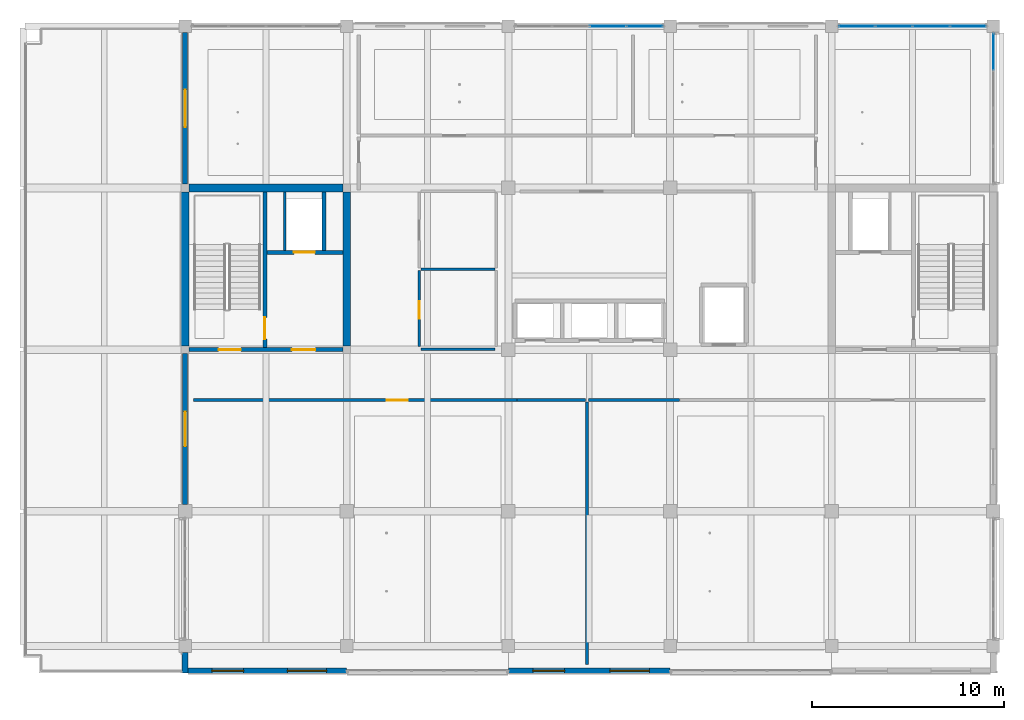
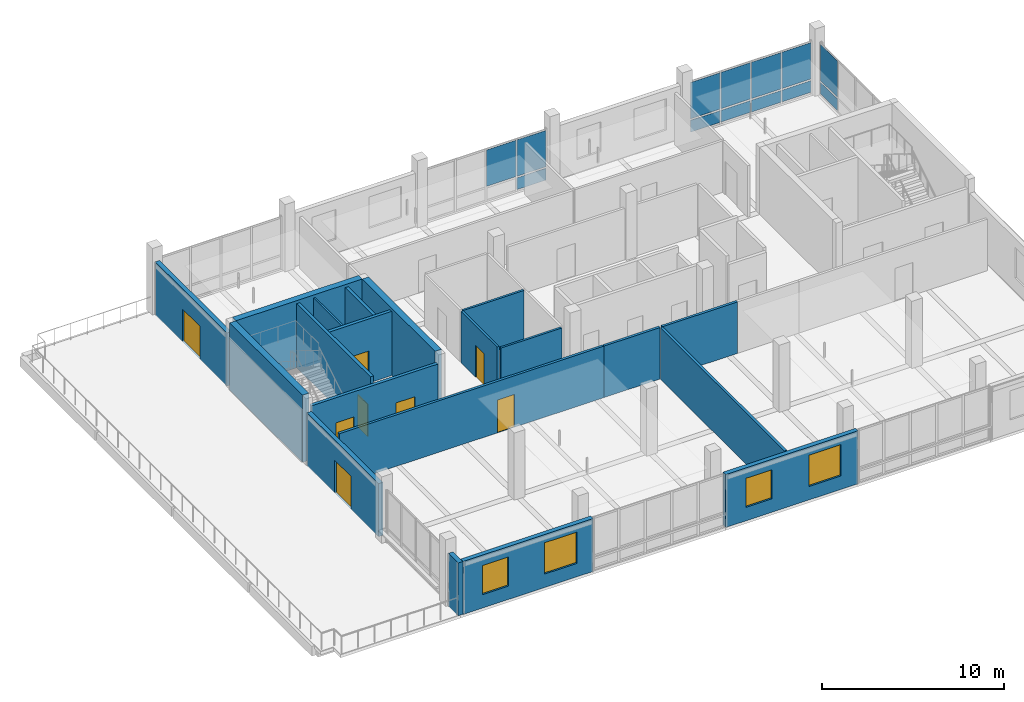
# One storey, part 9 of 28: 20 walls, 13 plates, 8 doors, 4 windows, 12 openings, 3 elements without a shape of their own.
"""IFC4 building model written with IfcOpenShell, lengths in metres."""

from ifc_helpers import new_model, si_unit, direction, frame, frame_2d, origin, origin_2d, place, context, subcontext, project, spatial, rectangle, extrude, material, layer, layer_set, type_object, element, fill, aggregate, save


model = new_model("IFC4")

# Units and contexts
model_context = context("Model", 3, precision=1e-05, world=origin(), true_north=direction((0.0, 1.0)))
body_context = subcontext(model_context, "Body", "Model", "MODEL_VIEW")
ifc_project = project(units=[si_unit("LENGTHUNIT", "METRE"), si_unit("AREAUNIT", "SQUARE_METRE"), si_unit("VOLUMEUNIT", "CUBIC_METRE"), si_unit("PLANEANGLEUNIT", "RADIAN"), si_unit("MASSUNIT", "GRAM", prefix="KILO")], contexts=[model_context])

# Site, building, storey
site_placement = place(None, origin())
site = spatial("IfcSite", under=ifc_project, at=site_placement, CompositionType="ELEMENT")
building_placement = place(site_placement, origin())
building = spatial("IfcBuilding", under=site, at=building_placement, Name="Telukmera Botanical Conservatory", CompositionType="ELEMENT")
storey_placement = place(building_placement, frame((0.0, 0.0, 51.0)))
storey = spatial("IfcBuildingStorey", under=building, at=storey_placement, Name="L11", CompositionType="ELEMENT", Elevation=51.0)

# Curtain wall, plates
ifc_material_1 = material(Name="Anodised aluminium 6063-T6", Category="aluminium")
ifc_layer_1 = layer(ifc_material_1, 0.179931640625)
ifc_layer_set_1 = layer_set([ifc_layer_1], Name="Anodised aluminium 6063-T6")
curtain_wall_type = type_object("IfcCurtainWallType", Name="Tower Research Laboratory Unitised Curtain Wall", PredefinedType="USERDEFINED", material=ifc_layer_set_1)
curtain_wall_1_placement = place(storey_placement, origin())
curtain_wall_1 = element("IfcCurtainWall", 1, at=curtain_wall_1_placement, inside=storey, type_object=curtain_wall_type, Name="Unitised Curtain Wall CW15 V4:L11:N3", ObjectType="UNITISED CURTAIN WALL", PredefinedType="USERDEFINED")
ifc_material_2 = material(Name="Spectrally selective low-E double glazing", Category="glass")
ifc_layer_2 = layer(ifc_material_2, 0.028076171875)
ifc_layer_set_2 = layer_set([ifc_layer_2], Name="Spectrally selective low-E double glazing")
plate_type = type_object("IfcPlateType", Name="Spectrally Selective Vision Double Glazing Panel 28", PredefinedType="CURTAIN_PANEL", material=ifc_layer_set_2)
plate_1_placement = place(storey_placement, frame((80.768310546875, 42.800048828125, 1.0048828125), z_axis=(0.0, 0.0, 1.0), x_axis=(1.0, 0.0, 0.0)))
plate_1 = element("IfcPlate", 2, at=plate_1_placement, type_object=plate_type, Name="CW15 panel 3.2", PredefinedType="CURTAIN_PANEL", context=body_context, shape_type="SweptSolid", body=[
    extrude(rectangle(XDim=1.87646484375, YDim=0.028076171875, at=origin_2d()), origin(), (0.0, 0.0, 1.0), 2.43505859375),
])
plate_2_placement = place(storey_placement, frame((82.689697265625, 42.800048828125, 0.10986328125), z_axis=(0.0, 0.0, 1.0), x_axis=(1.0, 0.0, 0.0)))
plate_2 = element("IfcPlate", 3, at=plate_2_placement, type_object=plate_type, Name="CW15 panel 4.1", PredefinedType="CURTAIN_PANEL", context=body_context, shape_type="SweptSolid", body=[
    extrude(rectangle(XDim=1.846435546875, YDim=0.028076171875, at=origin_2d()), origin(), (0.0, 0.0, 1.0), 0.784912109375),
])
plate_3_placement = place(storey_placement, frame((82.689697265625, 42.800048828125, 1.0048828125), z_axis=(0.0, 0.0, 1.0), x_axis=(1.0, 0.0, 0.0)))
plate_3 = element("IfcPlate", 4, at=plate_3_placement, type_object=plate_type, Name="CW15 panel 4.2", PredefinedType="CURTAIN_PANEL", context=body_context, shape_type="SweptSolid", body=[
    extrude(rectangle(XDim=1.846435546875, YDim=0.028076171875, at=origin_2d()), origin(), (0.0, 0.0, 1.0), 2.43505859375),
])
aggregate(curtain_wall_1, [plate_1, plate_2, plate_3])

curtain_wall_2_placement = place(storey_placement, origin())
curtain_wall_2 = element("IfcCurtainWall", 5, at=curtain_wall_2_placement, inside=storey, type_object=curtain_wall_type, Name="Unitised Curtain Wall CW15 V4:L11:N5", ObjectType="UNITISED CURTAIN WALL", PredefinedType="USERDEFINED")
plate_4_placement = place(storey_placement, frame((93.710205078125, 42.800048828125, 0.10986328125), z_axis=(0.0, 0.0, 1.0), x_axis=(1.0, 0.0, 0.0)))
plate_4 = element("IfcPlate", 6, at=plate_4_placement, type_object=plate_type, Name="CW15 panel 1.1", PredefinedType="CURTAIN_PANEL", context=body_context, shape_type="SweptSolid", body=[
    extrude(rectangle(XDim=1.846435546875, YDim=0.028076171875, at=origin_2d()), origin(), (0.0, 0.0, 1.0), 0.784912109375),
])
plate_5_placement = place(storey_placement, frame((93.710205078125, 42.800048828125, 1.0048828125), z_axis=(0.0, 0.0, 1.0), x_axis=(1.0, 0.0, 0.0)))
plate_5 = element("IfcPlate", 7, at=plate_5_placement, type_object=plate_type, Name="CW15 panel 1.2", PredefinedType="CURTAIN_PANEL", context=body_context, shape_type="SweptSolid", body=[
    extrude(rectangle(XDim=1.846435546875, YDim=0.028076171875, at=origin_2d()), origin(), (0.0, 0.0, 1.0), 2.43505859375),
])
plate_6_placement = place(storey_placement, frame((95.6318359375, 42.800048828125, 0.10986328125), z_axis=(0.0, 0.0, 1.0), x_axis=(1.0, 0.0, 0.0)))
plate_6 = element("IfcPlate", 8, at=plate_6_placement, type_object=plate_type, Name="CW15 panel 2.1", PredefinedType="CURTAIN_PANEL", context=body_context, shape_type="SweptSolid", body=[
    extrude(rectangle(XDim=1.87646484375, YDim=0.028076171875, at=origin_2d()), origin(), (0.0, 0.0, 1.0), 0.784912109375),
])
plate_7_placement = place(storey_placement, frame((95.6318359375, 42.800048828125, 1.0048828125), z_axis=(0.0, 0.0, 1.0), x_axis=(1.0, 0.0, 0.0)))
plate_7 = element("IfcPlate", 9, at=plate_7_placement, type_object=plate_type, Name="CW15 panel 2.2", PredefinedType="CURTAIN_PANEL", context=body_context, shape_type="SweptSolid", body=[
    extrude(rectangle(XDim=1.87646484375, YDim=0.028076171875, at=origin_2d()), origin(), (0.0, 0.0, 1.0), 2.43505859375),
])
plate_8_placement = place(storey_placement, frame((97.568359375, 42.800048828125, 0.10986328125), z_axis=(0.0, 0.0, 1.0), x_axis=(1.0, 0.0, 0.0)))
plate_8 = element("IfcPlate", 10, at=plate_8_placement, type_object=plate_type, Name="CW15 panel 3.1", PredefinedType="CURTAIN_PANEL", context=body_context, shape_type="SweptSolid", body=[
    extrude(rectangle(XDim=1.87646484375, YDim=0.028076171875, at=origin_2d()), origin(), (0.0, 0.0, 1.0), 0.784912109375),
])
plate_9_placement = place(storey_placement, frame((97.568359375, 42.800048828125, 1.0048828125), z_axis=(0.0, 0.0, 1.0), x_axis=(1.0, 0.0, 0.0)))
plate_9 = element("IfcPlate", 11, at=plate_9_placement, type_object=plate_type, Name="CW15 panel 3.2", PredefinedType="CURTAIN_PANEL", context=body_context, shape_type="SweptSolid", body=[
    extrude(rectangle(XDim=1.87646484375, YDim=0.028076171875, at=origin_2d()), origin(), (0.0, 0.0, 1.0), 2.43505859375),
])
plate_10_placement = place(storey_placement, frame((99.48974609375, 42.800048828125, 0.10986328125), z_axis=(0.0, 0.0, 1.0), x_axis=(1.0, 0.0, 0.0)))
plate_10 = element("IfcPlate", 12, at=plate_10_placement, type_object=plate_type, Name="CW15 panel 4.1", PredefinedType="CURTAIN_PANEL", context=body_context, shape_type="SweptSolid", body=[
    extrude(rectangle(XDim=1.846435546875, YDim=0.028076171875, at=origin_2d()), origin(), (0.0, 0.0, 1.0), 0.784912109375),
])
plate_11_placement = place(storey_placement, frame((99.48974609375, 42.800048828125, 1.0048828125), z_axis=(0.0, 0.0, 1.0), x_axis=(1.0, 0.0, 0.0)))
plate_11 = element("IfcPlate", 13, at=plate_11_placement, type_object=plate_type, Name="CW15 panel 4.2", PredefinedType="CURTAIN_PANEL", context=body_context, shape_type="SweptSolid", body=[
    extrude(rectangle(XDim=1.846435546875, YDim=0.028076171875, at=origin_2d()), origin(), (0.0, 0.0, 1.0), 2.43505859375),
])
aggregate(curtain_wall_2, [plate_4, plate_5, plate_6, plate_7, plate_8, plate_9, plate_10, plate_11])

curtain_wall_3_placement = place(storey_placement, origin())
curtain_wall_3 = element("IfcCurtainWall", 14, at=curtain_wall_3_placement, inside=storey, type_object=curtain_wall_type, Name="Unitised Curtain Wall CW15 V4:L11:E4", ObjectType="UNITISED CURTAIN WALL", PredefinedType="USERDEFINED")
plate_12_placement = place(storey_placement, frame((100.800048828125, 41.47412109375, 0.10986328125), z_axis=(0.0, 0.0, 1.0), x_axis=(0.0, 1.0, 0.0)))
plate_12 = element("IfcPlate", 15, at=plate_12_placement, type_object=plate_type, Name="CW15 panel 4.1", PredefinedType="CURTAIN_PANEL", context=body_context, shape_type="SweptSolid", body=[
    extrude(rectangle(XDim=1.877685546875, YDim=0.028076171875, at=origin_2d()), origin(), (0.0, 0.0, 1.0), 0.784912109375),
])
plate_13_placement = place(storey_placement, frame((100.800048828125, 41.47412109375, 1.0048828125), z_axis=(0.0, 0.0, 1.0), x_axis=(0.0, 1.0, 0.0)))
plate_13 = element("IfcPlate", 16, at=plate_13_placement, type_object=plate_type, Name="CW15 panel 4.2", PredefinedType="CURTAIN_PANEL", context=body_context, shape_type="SweptSolid", body=[
    extrude(rectangle(XDim=1.877685546875, YDim=0.028076171875, at=origin_2d()), origin(), (0.0, 0.0, 1.0), 2.43505859375),
])
aggregate(curtain_wall_3, [plate_12, plate_13])

# Wall, openings, windows
ifc_material_3 = material(Name="Precast concrete C40/50", Category="concrete")
ifc_layer_3 = layer(ifc_material_3, 0.280029296875)
ifc_layer_set_3 = layer_set([ifc_layer_3], Name="Precast concrete C40/50")
wall_type_1 = type_object("IfcWallType", Name="Exterior Laboratory Modular Precast Wall 280", PredefinedType="ELEMENTEDWALL", material=ifc_layer_set_3)
wall_1_placement = place(storey_placement, frame((58.951904296875, 9.320068359375, 0.0), z_axis=(0.0, 0.0, 1.0), x_axis=(1.0, 0.0, 0.0)))
wall_1 = element("IfcWall", 17, at=wall_1_placement, inside=storey, type_object=wall_type_1, Name="Exterior Precast Wall EW06 V4:L11:S1", PredefinedType="ELEMENTEDWALL", context=body_context, shape_type="SweptSolid", body=[
    extrude(rectangle(XDim=8.24609375, YDim=0.280029296875, at=frame_2d((4.123046875, 0.0))), origin(), (0.0, 0.0, 1.0), 3.550048828125),
])
opening_1_placement = place(wall_1_placement, frame((1.236572265625, 0.0, 0.89990234375)))
opening_1 = element("IfcOpeningElement", 18, at=opening_1_placement, cuts=wall_1, Name="Opening W10", PredefinedType="OPENING", context=body_context, shape_type="SweptSolid", body=[
    extrude(rectangle(XDim=1.64990234375, YDim=1.949951171875, at=frame_2d((0.824951171875, 0.97509765625))), frame((0.0, 0.14990234375, 0.0), z_axis=(0.0, -1.0, 0.0), x_axis=(1.0, 0.0, 0.0)), (0.0, 0.0, 1.0), 0.300048828125),
])
opening_2_placement = place(wall_1_placement, frame((5.159423828125, 0.0, 0.89990234375)))
opening_2 = element("IfcOpeningElement", 19, at=opening_2_placement, cuts=wall_1, Name="Opening W14", PredefinedType="OPENING", context=body_context, shape_type="SweptSolid", body=[
    extrude(rectangle(XDim=2.050048828125, YDim=2.10009765625, at=frame_2d((1.02490234375, 1.050048828125))), frame((0.0, 0.14990234375, 0.0), z_axis=(0.0, -1.0, 0.0), x_axis=(1.0, 0.0, 0.0)), (0.0, 0.0, 1.0), 0.300048828125),
])
ifc_material_4 = material(Name="Thermally broken anodised aluminium frame with low-E double glazing", Category="aluminium")
window_type_1 = type_object("IfcWindowType", Name="Double Horizontal Phytochemistry Lab Window 1650x1950", PartitioningType="DOUBLE_PANEL_HORIZONTAL", PredefinedType="WINDOW", material=ifc_material_4)
window_1_placement = place(opening_1_placement, origin())
window_1 = element("IfcWindow", 20, at=window_1_placement, inside=storey, type_object=window_type_1, Name="Facade Window W10 V4:L11:S1 1", OverallHeight=1.949951171875, OverallWidth=1.64990234375, PartitioningType="DOUBLE_PANEL_HORIZONTAL", PredefinedType="WINDOW", context=body_context, shape_type="SweptSolid", body=[
    extrude(rectangle(XDim=1.64990234375, YDim=1.949951171875, at=frame_2d((0.824951171875, 0.97509765625))), frame((0.0, 0.030029296875, 0.0), z_axis=(0.0, -1.0, 0.0), x_axis=(1.0, 0.0, 0.0)), (0.0, 0.0, 1.0), 0.06005859375),
])
fill(opening_1, window_1)
window_type_2 = type_object("IfcWindowType", Name="Triple Vertical Microscopy Lab Window 2050x2100", PartitioningType="TRIPLE_PANEL_VERTICAL", PredefinedType="WINDOW", material=ifc_material_4)
window_2_placement = place(opening_2_placement, origin())
window_2 = element("IfcWindow", 21, at=window_2_placement, inside=storey, type_object=window_type_2, Name="Facade Window W14 V4:L11:S1 2", OverallHeight=2.10009765625, OverallWidth=2.050048828125, PartitioningType="TRIPLE_PANEL_VERTICAL", PredefinedType="WINDOW", context=body_context, shape_type="SweptSolid", body=[
    extrude(rectangle(XDim=2.050048828125, YDim=2.10009765625, at=frame_2d((1.02490234375, 1.050048828125))), frame((0.0, 0.030029296875, 0.0), z_axis=(0.0, -1.0, 0.0), x_axis=(1.0, 0.0, 0.0)), (0.0, 0.0, 1.0), 0.06005859375),
])
fill(opening_2, window_2)

wall_2_placement = place(storey_placement, frame((75.60205078125, 9.320068359375, 0.0), z_axis=(0.0, 0.0, 1.0), x_axis=(1.0, 0.0, 0.0)))
wall_2 = element("IfcWall", 22, at=wall_2_placement, inside=storey, type_object=wall_type_1, Name="Exterior Precast Wall EW06 V4:L11:S3", PredefinedType="ELEMENTEDWALL", context=body_context, shape_type="SweptSolid", body=[
    extrude(rectangle(XDim=8.39599609375, YDim=0.280029296875, at=frame_2d((4.197998046875, 0.0))), origin(), (0.0, 0.0, 1.0), 3.550048828125),
])
opening_3_placement = place(wall_2_placement, frame((1.27392578125, 0.0, 0.89990234375)))
opening_3 = element("IfcOpeningElement", 23, at=opening_3_placement, cuts=wall_2, Name="Opening W10", PredefinedType="OPENING", context=body_context, shape_type="SweptSolid", body=[
    extrude(rectangle(XDim=1.64990234375, YDim=1.949951171875, at=frame_2d((0.824951171875, 0.97509765625))), frame((0.0, 0.14990234375, 0.0), z_axis=(0.0, -1.0, 0.0), x_axis=(1.0, 0.0, 0.0)), (0.0, 0.0, 1.0), 0.300048828125),
])
opening_4_placement = place(wall_2_placement, frame((5.27197265625, 0.0, 0.89990234375)))
opening_4 = element("IfcOpeningElement", 24, at=opening_4_placement, cuts=wall_2, Name="Opening W14", PredefinedType="OPENING", context=body_context, shape_type="SweptSolid", body=[
    extrude(rectangle(XDim=2.050048828125, YDim=2.10009765625, at=frame_2d((1.02490234375, 1.050048828125))), frame((0.0, 0.14990234375, 0.0), z_axis=(0.0, -1.0, 0.0), x_axis=(1.0, 0.0, 0.0)), (0.0, 0.0, 1.0), 0.300048828125),
])
window_3_placement = place(opening_3_placement, origin())
window_3 = element("IfcWindow", 25, at=window_3_placement, inside=storey, type_object=window_type_1, Name="Facade Window W10 V4:L11:S3 1", OverallHeight=1.949951171875, OverallWidth=1.64990234375, PartitioningType="DOUBLE_PANEL_HORIZONTAL", PredefinedType="WINDOW", context=body_context, shape_type="SweptSolid", body=[
    extrude(rectangle(XDim=1.64990234375, YDim=1.949951171875, at=frame_2d((0.824951171875, 0.97509765625))), frame((0.0, 0.030029296875, 0.0), z_axis=(0.0, -1.0, 0.0), x_axis=(1.0, 0.0, 0.0)), (0.0, 0.0, 1.0), 0.06005859375),
])
fill(opening_3, window_3)
window_4_placement = place(opening_4_placement, origin())
window_4 = element("IfcWindow", 26, at=window_4_placement, inside=storey, type_object=window_type_2, Name="Facade Window W14 V4:L11:S3 2", OverallHeight=2.10009765625, OverallWidth=2.050048828125, PartitioningType="TRIPLE_PANEL_VERTICAL", PredefinedType="WINDOW", context=body_context, shape_type="SweptSolid", body=[
    extrude(rectangle(XDim=2.050048828125, YDim=2.10009765625, at=frame_2d((1.02490234375, 1.050048828125))), frame((0.0, 0.030029296875, 0.0), z_axis=(0.0, -1.0, 0.0), x_axis=(1.0, 0.0, 0.0)), (0.0, 0.0, 1.0), 0.06005859375),
])
fill(opening_4, window_4)

# Wall, opening, door
wall_3_placement = place(storey_placement, frame((58.800048828125, 17.951904296875, 0.0), z_axis=(0.0, 0.0, 1.0), x_axis=(0.0, 1.0, 0.0)))
wall_3 = element("IfcWall", 27, at=wall_3_placement, inside=storey, type_object=wall_type_1, Name="Exterior Precast Wall EW06 V4:L11:W2", PredefinedType="ELEMENTEDWALL", context=body_context, shape_type="SweptSolid", body=[
    extrude(rectangle(XDim=7.84619140625, YDim=0.280029296875, at=frame_2d((3.923095703125, 0.0))), origin(), (0.0, 0.0, 1.0), 3.550048828125),
])
opening_5_placement = place(wall_3_placement, frame((3.02294921875, 0.0, 0.0)))
opening_5 = element("IfcOpeningElement", 28, at=opening_5_placement, cuts=wall_3, Name="Opening DT1101", PredefinedType="OPENING", context=body_context, shape_type="SweptSolid", body=[
    extrude(rectangle(XDim=1.800048828125, YDim=2.199951171875, at=frame_2d((0.89990234375, 1.10009765625))), frame((0.0, 0.14990234375, 0.0), z_axis=(0.0, -1.0, 0.0), x_axis=(1.0, 0.0, 0.0)), (0.0, 0.0, 1.0), 0.300048828125),
])
ifc_material_5 = material(Name="Thermally broken anodised aluminium glazed door assembly", Category="aluminium")
door_type_1 = type_object("IfcDoorType", Name="Level 11 Botanical Sky Terrace South Glazed Door 1800x2200", OperationType="NOTDEFINED", PredefinedType="DOOR", material=ifc_material_5)
door_1_placement = place(opening_5_placement, origin())
door_1 = element("IfcDoor", 29, at=door_1_placement, inside=storey, type_object=door_type_1, Name="Exterior Door DT1101", OperationType="DOUBLE_DOOR_SINGLE_SWING", OverallHeight=2.199951171875, OverallWidth=1.800048828125, PredefinedType="DOOR", context=body_context, shape_type="SweptSolid", body=[
    extrude(rectangle(XDim=1.800048828125, YDim=2.199951171875, at=frame_2d((0.89990234375, 1.10009765625))), frame((0.0, 0.02490234375, 0.0), z_axis=(0.0, -1.0, 0.0), x_axis=(1.0, 0.0, 0.0)), (0.0, 0.0, 1.0), 0.050048828125),
])
fill(opening_5, door_1)

wall_4_placement = place(storey_placement, frame((58.800048828125, 34.60205078125, 0.0), z_axis=(0.0, 0.0, 1.0), x_axis=(0.0, 1.0, 0.0)))
wall_4 = element("IfcWall", 30, at=wall_4_placement, inside=storey, type_object=wall_type_1, Name="Exterior Precast Wall EW06 V4:L11:W4", PredefinedType="ELEMENTEDWALL", context=body_context, shape_type="SweptSolid", body=[
    extrude(rectangle(XDim=7.870849609375, YDim=0.280029296875, at=frame_2d((3.935546875, 0.0))), origin(), (0.0, 0.0, 1.0), 3.550048828125),
])
opening_6_placement = place(wall_4_placement, frame((2.96044921875, 0.0, 0.0)))
opening_6 = element("IfcOpeningElement", 31, at=opening_6_placement, cuts=wall_4, Name="Opening DT1102", PredefinedType="OPENING", context=body_context, shape_type="SweptSolid", body=[
    extrude(rectangle(XDim=1.949951171875, YDim=2.199951171875, at=frame_2d((0.97509765625, 1.10009765625))), frame((0.0, 0.14990234375, 0.0), z_axis=(0.0, -1.0, 0.0), x_axis=(1.0, 0.0, 0.0)), (0.0, 0.0, 1.0), 0.300048828125),
])
door_type_2 = type_object("IfcDoorType", Name="Level 11 Botanical Sky Terrace North Glazed Door 1950x2200", OperationType="NOTDEFINED", PredefinedType="DOOR", material=ifc_material_5)
door_2_placement = place(opening_6_placement, origin())
door_2 = element("IfcDoor", 32, at=door_2_placement, inside=storey, type_object=door_type_2, Name="Exterior Door DT1102", OperationType="DOUBLE_DOOR_SINGLE_SWING", OverallHeight=2.199951171875, OverallWidth=1.949951171875, PredefinedType="DOOR", context=body_context, shape_type="SweptSolid", body=[
    extrude(rectangle(XDim=1.949951171875, YDim=2.199951171875, at=frame_2d((0.97509765625, 1.10009765625))), frame((0.0, 0.02490234375, 0.0), z_axis=(0.0, -1.0, 0.0), x_axis=(1.0, 0.0, 0.0)), (0.0, 0.0, 1.0), 0.050048828125),
])
fill(opening_6, door_2)

# Wall
ifc_material_6 = material(Name="Terracotta-faced precast concrete C40/50", Category="masonry")
ifc_layer_4 = layer(ifc_material_6, 0.300048828125)
ifc_layer_set_4 = layer_set([ifc_layer_4], Name="Terracotta-faced precast concrete C40/50")
wall_type_2 = type_object("IfcWallType", Name="Exterior Polychrome Terracotta Precast Wall 300", PredefinedType="SOLIDWALL", material=ifc_layer_set_4)
wall_5_placement = place(storey_placement, frame((58.800048828125, 9.199951171875, 0.0), z_axis=(0.0, 0.0, 1.0), x_axis=(0.0, 1.0, 0.0)))
element("IfcWall", 33, at=wall_5_placement, inside=storey, type_object=wall_type_2, Name="Exterior Precast Wall EW02 V4:L11:SWC", PredefinedType="SOLIDWALL", context=body_context, shape_type="SweptSolid", body=[
    extrude(rectangle(XDim=1.072998046875, YDim=0.300048828125, at=frame_2d((0.53662109375, 0.0))), origin(), (0.0, 0.0, 1.0), 3.550048828125),
])

# Wall, openings, doors
ifc_material_7 = material(Name="Concrete C40/50", Category="concrete")
ifc_layer_5 = layer(ifc_material_7, 0.199951171875)
ifc_layer_set_5 = layer_set([ifc_layer_5], Name="Concrete C40/50")
wall_type_3 = type_object("IfcWallType", Name="WT-CORE-200", PredefinedType="SOLIDWALL", material=ifc_layer_set_5)
wall_6_placement = place(storey_placement, frame((59.0, 26.0, 0.0), z_axis=(0.0, 0.0, 1.0), x_axis=(1.0, 0.0, 0.0)))
wall_6 = element("IfcWall", 34, at=wall_6_placement, inside=storey, type_object=wall_type_3, Name="L11 Core C1 South Fire Wall", PredefinedType="SOLIDWALL", context=body_context, shape_type="SweptSolid", body=[
    extrude(rectangle(XDim=8.0, YDim=0.199951171875, at=frame_2d((4.0, 0.0))), origin(), (0.0, 0.0, 1.0), 3.830078125),
])
opening_7_placement = place(wall_6_placement, frame((1.550048828125, 0.0, 0.0)))
opening_7 = element("IfcOpeningElement", 35, at=opening_7_placement, cuts=wall_6, Name="Opening FD60A", PredefinedType="OPENING", context=body_context, shape_type="SweptSolid", body=[
    extrude(rectangle(XDim=1.14990234375, YDim=2.14990234375, at=frame_2d((0.574951171875, 1.074951171875))), frame((0.0, 0.10986328125, 0.0), z_axis=(0.0, -1.0, 0.0), x_axis=(1.0, 0.0, 0.0)), (0.0, 0.0, 1.0), 0.219970703125),
])
opening_8_placement = place(wall_6_placement, frame((5.35009765625, 0.0, 0.0)))
opening_8 = element("IfcOpeningElement", 36, at=opening_8_placement, cuts=wall_6, Name="Opening FD60C", PredefinedType="OPENING", context=body_context, shape_type="SweptSolid", body=[
    extrude(rectangle(XDim=1.219970703125, YDim=2.14990234375, at=frame_2d((0.60986328125, 1.074951171875))), frame((0.0, 0.10986328125, 0.0), z_axis=(0.0, -1.0, 0.0), x_axis=(1.0, 0.0, 0.0)), (0.0, 0.0, 1.0), 0.219970703125),
])
ifc_material_8 = material(Name="Hardwood fire door", Category="wood")
door_type_3 = type_object("IfcDoorType", Name="DT-FD60-01", OperationType="NOTDEFINED", PredefinedType="DOOR", material=ifc_material_8)
door_3_placement = place(opening_7_placement, origin())
door_3 = element("IfcDoor", 37, at=door_3_placement, inside=storey, type_object=door_type_3, Name="L11 Stair ST1 Escape Door", OperationType="SINGLE_SWING_RIGHT", OverallHeight=2.14990234375, OverallWidth=1.14990234375, PredefinedType="DOOR", context=body_context, shape_type="SweptSolid", body=[
    extrude(rectangle(XDim=1.14990234375, YDim=2.14990234375, at=frame_2d((0.574951171875, 1.074951171875))), frame((0.0, 0.02490234375, 0.0), z_axis=(0.0, -1.0, 0.0), x_axis=(1.0, 0.0, 0.0)), (0.0, 0.0, 1.0), 0.050048828125),
])
fill(opening_7, door_3)
door_type_4 = type_object("IfcDoorType", Name="DT-FD60-03", OperationType="NOTDEFINED", PredefinedType="DOOR", material=ifc_material_8)
door_4_placement = place(opening_8_placement, origin())
door_4 = element("IfcDoor", 38, at=door_4_placement, inside=storey, type_object=door_type_4, Name="L11 Firefighting Lobby C1 Door", OperationType="SINGLE_SWING_LEFT", OverallHeight=2.14990234375, OverallWidth=1.219970703125, PredefinedType="DOOR", context=body_context, shape_type="SweptSolid", body=[
    extrude(rectangle(XDim=1.219970703125, YDim=2.14990234375, at=frame_2d((0.60986328125, 1.074951171875))), frame((0.0, 0.02490234375, 0.0), z_axis=(0.0, -1.0, 0.0), x_axis=(1.0, 0.0, 0.0)), (0.0, 0.0, 1.0), 0.050048828125),
])
fill(opening_8, door_4)

# Wall, opening, door
wall_7_placement = place(storey_placement, frame((62.949951171875, 26.10009765625, 0.0), z_axis=(0.0, 0.0, 1.0), x_axis=(0.0, 1.0, 0.0)))
wall_7 = element("IfcWall", 39, at=wall_7_placement, inside=storey, type_object=wall_type_3, Name="L11 Core C1 Stair-Lobby Wall", PredefinedType="SOLIDWALL", context=body_context, shape_type="SweptSolid", body=[
    extrude(rectangle(XDim=8.099853515625, YDim=0.199951171875, at=frame_2d((4.0498046875, 0.0))), origin(), (0.0, 0.0, 1.0), 4.300048828125),
])
opening_9_placement = place(wall_7_placement, frame((0.449951171875, 0.0, 0.0)))
opening_9 = element("IfcOpeningElement", 40, at=opening_9_placement, cuts=wall_7, Name="Opening FD60B", PredefinedType="OPENING", context=body_context, shape_type="SweptSolid", body=[
    extrude(rectangle(XDim=1.1201171875, YDim=2.14990234375, at=frame_2d((0.56005859375, 1.074951171875))), frame((0.0, 0.10986328125, 0.0), z_axis=(0.0, -1.0, 0.0), x_axis=(1.0, 0.0, 0.0)), (0.0, 0.0, 1.0), 0.219970703125),
])
door_type_5 = type_object("IfcDoorType", Name="DT-FD60-02", OperationType="NOTDEFINED", PredefinedType="DOOR", material=ifc_material_8)
door_5_placement = place(opening_9_placement, origin())
door_5 = element("IfcDoor", 41, at=door_5_placement, inside=storey, type_object=door_type_5, Name="L11 Firefighting Lobby C1 to ST1 Door", OperationType="SINGLE_SWING_RIGHT", OverallHeight=2.14990234375, OverallWidth=1.1201171875, PredefinedType="DOOR", context=body_context, shape_type="SweptSolid", body=[
    extrude(rectangle(XDim=1.1201171875, YDim=2.14990234375, at=frame_2d((0.56005859375, 1.074951171875))), frame((0.0, 0.02490234375, 0.0), z_axis=(0.0, -1.0, 0.0), x_axis=(1.0, 0.0, 0.0)), (0.0, 0.0, 1.0), 0.050048828125),
])
fill(opening_9, door_5)

wall_8_placement = place(storey_placement, frame((63.050048828125, 31.050048828125, 0.0), z_axis=(0.0, 0.0, 1.0), x_axis=(1.0, 0.0, 0.0)))
wall_8 = element("IfcWall", 42, at=wall_8_placement, inside=storey, type_object=wall_type_3, Name="L11 Fire Lift FL1 Shaft Front Wall", PredefinedType="SOLIDWALL", context=body_context, shape_type="SweptSolid", body=[
    extrude(rectangle(XDim=3.949951171875, YDim=0.199951171875, at=frame_2d((1.97509765625, 0.0))), origin(), (0.0, 0.0, 1.0), 4.300048828125),
])
opening_10_placement = place(wall_8_placement, frame((1.39990234375, 0.0, 0.0)))
opening_10 = element("IfcOpeningElement", 43, at=opening_10_placement, cuts=wall_8, Name="Opening LD01", PredefinedType="OPENING", context=body_context, shape_type="SweptSolid", body=[
    extrude(rectangle(XDim=1.10009765625, YDim=2.14990234375, at=frame_2d((0.550048828125, 1.074951171875))), frame((0.0, 0.10986328125, 0.0), z_axis=(0.0, -1.0, 0.0), x_axis=(1.0, 0.0, 0.0)), (0.0, 0.0, 1.0), 0.219970703125),
])
ifc_material_9 = material(Name="Stainless steel 316", Category="steel")
door_type_6 = type_object("IfcDoorType", Name="DT-LD01", OperationType="SLIDING_TO_LEFT", PredefinedType="DOOR", material=ifc_material_9)
door_6_placement = place(opening_10_placement, frame((1.10009765625, 0.0, 0.0), z_axis=(0.0, 0.0, 1.0), x_axis=(-1.0, 0.0, 0.0)))
door_6 = element("IfcDoor", 44, at=door_6_placement, inside=storey, type_object=door_type_6, Name="L11 Lift Landing Door FL1", OperationType="SLIDING_TO_LEFT", OverallHeight=2.14990234375, OverallWidth=1.10009765625, PredefinedType="DOOR", context=body_context, shape_type="SweptSolid", body=[
    extrude(rectangle(XDim=1.10009765625, YDim=2.14990234375, at=frame_2d((0.550048828125, 1.074951171875))), frame((0.0, 0.02490234375, 0.0), z_axis=(0.0, -1.0, 0.0), x_axis=(1.0, 0.0, 0.0)), (0.0, 0.0, 1.0), 0.050048828125),
])
fill(opening_10, door_6)

# Walls
wall_9_placement = place(storey_placement, frame((66.02001953125, 31.14990234375, 0.0), z_axis=(0.0, 0.0, 1.0), x_axis=(0.0, 1.0, 0.0)))
element("IfcWall", 45, at=wall_9_placement, inside=storey, type_object=wall_type_3, Name="L11 Fire Lift FL1 Shaft East Wall", PredefinedType="SOLIDWALL", context=body_context, shape_type="SweptSolid", body=[
    extrude(rectangle(XDim=3.050048828125, YDim=0.199951171875, at=frame_2d((1.52490234375, 0.0))), origin(), (0.0, 0.0, 1.0), 4.300048828125),
])
ifc_material_10 = material(Name="Gypsum acoustic stud partition")
ifc_layer_6 = layer(ifc_material_10, 0.159912109375)
ifc_layer_set_6 = layer_set([ifc_layer_6], Name="Gypsum acoustic stud partition")
wall_type_4 = type_object("IfcWallType", Name="WT-LAB-160", PredefinedType="PARTITIONING", material=ifc_layer_set_6)
wall_10_placement = place(storey_placement, frame((76.050048828125, 23.375, 0.0), z_axis=(0.0, 0.0, 1.0), x_axis=(1.0, 0.0, 0.0)))
element("IfcWall", 46, at=wall_10_placement, inside=storey, type_object=wall_type_4, Name="L11 Interior Partition 09", PredefinedType="PARTITIONING", context=body_context, shape_type="SweptSolid", body=[
    extrude(rectangle(XDim=3.550048828125, YDim=0.159912109375, at=frame_2d((1.77490234375, 0.0))), origin(), (0.0, 0.0, 1.0), 3.449951171875),
])
wall_11_placement = place(storey_placement, frame((79.75, 23.375, 0.0), z_axis=(0.0, 0.0, 1.0), x_axis=(1.0, 0.0, 0.0)))
element("IfcWall", 47, at=wall_11_placement, inside=storey, type_object=wall_type_4, Name="L11 Interior Partition 10", PredefinedType="PARTITIONING", context=body_context, shape_type="SweptSolid", body=[
    extrude(rectangle(XDim=4.75, YDim=0.159912109375, at=frame_2d((2.375, 0.0))), origin(), (0.0, 0.0, 1.0), 3.449951171875),
])

# Wall, opening, door
wall_12_placement = place(storey_placement, frame((59.25, 23.375, 0.0), z_axis=(0.0, 0.0, 1.0), x_axis=(1.0, 0.0, 0.0)))
wall_12 = element("IfcWall", 48, at=wall_12_placement, inside=storey, type_object=wall_type_4, Name="L11 Interior Partition 12", PredefinedType="PARTITIONING", context=body_context, shape_type="SweptSolid", body=[
    extrude(rectangle(XDim=16.7900390625, YDim=0.159912109375, at=frame_2d((8.39501953125, 0.0))), origin(), (0.0, 0.0, 1.0), 3.449951171875),
])
opening_11_placement = place(wall_12_placement, frame((10.025634765625, 0.0, 0.0)))
opening_11 = element("IfcOpeningElement", 49, at=opening_11_placement, cuts=wall_12, Name="Opening ID11", PredefinedType="OPENING", context=body_context, shape_type="SweptSolid", body=[
    extrude(rectangle(XDim=1.10009765625, YDim=2.199951171875, at=frame_2d((0.550048828125, 1.10009765625))), frame((0.0, 0.08984375, 0.0), z_axis=(0.0, -1.0, 0.0), x_axis=(1.0, 0.0, 0.0)), (0.0, 0.0, 1.0), 0.179931640625),
])
ifc_material_11 = material(Name="Flush cleanroom laboratory door")
door_type_7 = type_object("IfcDoorType", Name="DT-TC-110", OperationType="NOTDEFINED", PredefinedType="DOOR", material=ifc_material_11)
door_7_placement = place(opening_11_placement, frame((1.10009765625, 0.0, 0.0), z_axis=(0.0, 0.0, 1.0), x_axis=(-1.0, 0.0, 0.0)))
door_7 = element("IfcDoor", 50, at=door_7_placement, inside=storey, type_object=door_type_7, Name="L11 Phytochemistry Laboratory Door", OperationType="SINGLE_SWING_RIGHT", OverallHeight=2.199951171875, OverallWidth=1.10009765625, PredefinedType="DOOR", context=body_context, shape_type="SweptSolid", body=[
    extrude(rectangle(XDim=1.10009765625, YDim=2.199951171875, at=frame_2d((0.550048828125, 1.10009765625))), frame((0.0, 0.02490234375, 0.0), z_axis=(0.0, -1.0, 0.0), x_axis=(1.0, 0.0, 0.0)), (0.0, 0.0, 1.0), 0.050048828125),
])
fill(opening_11, door_7)

# Walls
wall_13_placement = place(storey_placement, frame((79.675048828125, 9.64990234375, 0.0), z_axis=(0.0, 0.0, 1.0), x_axis=(0.0, 1.0, 0.0)))
element("IfcWall", 51, at=wall_13_placement, inside=storey, type_object=wall_type_4, Name="L11 Interior Partition 14", PredefinedType="PARTITIONING", context=body_context, shape_type="SweptSolid", body=[
    extrude(rectangle(XDim=13.635009765625, YDim=0.159912109375, at=frame_2d((6.8173828125, 0.0))), origin(), (0.0, 0.0, 1.0), 3.449951171875),
])
ifc_material_12 = material(Name="Gypsum shaftwall liner")
ifc_layer_7 = layer(ifc_material_12, 0.110107421875)
ifc_layer_set_7 = layer_set([ifc_layer_7], Name="Gypsum shaftwall liner")
wall_type_5 = type_object("IfcWallType", Name="WT-RISER-110", PredefinedType="PARTITIONING", material=ifc_layer_set_7)
wall_14_placement = place(storey_placement, frame((63.97998046875, 31.14990234375, 0.0), z_axis=(0.0, 0.0, 1.0), x_axis=(0.0, 1.0, 0.0)))
element("IfcWall", 52, at=wall_14_placement, inside=storey, type_object=wall_type_5, Name="L11 Wet Riser C1 Shaft Wall", PredefinedType="PARTITIONING", context=body_context, shape_type="SweptSolid", body=[
    extrude(rectangle(XDim=3.050048828125, YDim=0.110107421875, at=frame_2d((1.52490234375, 0.0))), origin(), (0.0, 0.0, 1.0), 4.300048828125),
])

# Wall, opening, door
ifc_material_13 = material(Name="Moisture-resistant blockwork", Category="masonry")
ifc_layer_8 = layer(ifc_material_13, 0.135009765625)
ifc_layer_set_8 = layer_set([ifc_layer_8], Name="Moisture-resistant blockwork")
wall_type_6 = type_object("IfcWallType", Name="WT-WC-135", PredefinedType="PARTITIONING", material=ifc_layer_set_8)
wall_15_placement = place(storey_placement, frame((70.97509765625, 26.14990234375, 0.0), z_axis=(0.0, 0.0, 1.0), x_axis=(0.0, 1.0, 0.0)))
wall_15 = element("IfcWall", 53, at=wall_15_placement, inside=storey, type_object=wall_type_6, Name="L11 Interior Partition 01", PredefinedType="PARTITIONING", context=body_context, shape_type="SweptSolid", body=[
    extrude(rectangle(XDim=3.9501953125, YDim=0.135009765625, at=frame_2d((1.97509765625, 0.0))), origin(), (0.0, 0.0, 1.0), 3.449951171875),
])
opening_12_placement = place(wall_15_placement, frame((1.440673828125, 0.0, 0.0)))
opening_12 = element("IfcOpeningElement", 54, at=opening_12_placement, cuts=wall_15, Name="Opening ID17", PredefinedType="OPENING", context=body_context, shape_type="SweptSolid", body=[
    extrude(rectangle(XDim=0.919921875, YDim=2.1201171875, at=frame_2d((0.4599609375, 1.06005859375))), frame((0.0, 0.077392578125, 0.0), z_axis=(0.0, -1.0, 0.0), x_axis=(1.0, 0.0, 0.0)), (0.0, 0.0, 1.0), 0.155029296875),
])
ifc_material_14 = material(Name="Moisture-resistant laminate WC door")
door_type_8 = type_object("IfcDoorType", Name="DT-WC-092", OperationType="NOTDEFINED", PredefinedType="DOOR", material=ifc_material_14)
door_8_placement = place(opening_12_placement, origin())
door_8 = element("IfcDoor", 55, at=door_8_placement, inside=storey, type_object=door_type_8, Name="L11 Public WC Door", OperationType="SINGLE_SWING_LEFT", OverallHeight=2.1201171875, OverallWidth=0.919921875, PredefinedType="DOOR", context=body_context, shape_type="SweptSolid", body=[
    extrude(rectangle(XDim=0.919921875, YDim=2.1201171875, at=frame_2d((0.4599609375, 1.06005859375))), frame((0.0, 0.02490234375, 0.0), z_axis=(0.0, -1.0, 0.0), x_axis=(1.0, 0.0, 0.0)), (0.0, 0.0, 1.0), 0.050048828125),
])
fill(opening_12, door_8)

# Walls
for number, where, z_axis, x_axis, name in (
    (56, (71.050048828125, 30.175048828125, 0.0), (0.0, 0.0, 1.0), (1.0, 0.0, 0.0), "L11 Interior Partition 03"),
    (57, (71.050048828125, 26.02490234375, 0.0), (0.0, 0.0, 1.0), (1.0, 0.0, 0.0), "L11 Interior Partition 04"),
):
    element("IfcWall", number, at=place(storey_placement, frame(where, z_axis=z_axis, x_axis=x_axis)), inside=storey, type_object=wall_type_6, Name=name, PredefinedType="PARTITIONING", context=body_context, shape_type="SweptSolid", body=[
        extrude(rectangle(XDim=3.849853515625, YDim=0.135009765625, at=frame_2d((1.9248046875, 0.0))), origin(), (0.0, 0.0, 1.0), 3.449951171875),
    ])
ifc_material_15 = material(Name="Concrete C50/60", Category="concrete")
ifc_layer_9 = layer(ifc_material_15, 0.39990234375)
ifc_layer_set_9 = layer_set([ifc_layer_9], Name="Concrete C50/60")
wall_type_7 = type_object("IfcWallType", Name="Wall_CW1", PredefinedType="SHEAR", material=ifc_layer_set_9)
for number, where, z_axis, x_axis, name in (
    (58, (58.800048828125, 26.199951171875, 0.0), (0.0, 0.0, 1.0), (0.0, 1.0, 0.0), "Core C1 Shear Wall West L11"),
    (59, (67.199951171875, 26.199951171875, 0.0), (0.0, 0.0, 1.0), (0.0, 1.0, 0.0), "Core C1 Shear Wall East L11"),
    (60, (59.0, 34.39990234375, 0.0), (0.0, 0.0, 1.0), (1.0, 0.0, 0.0), "Core C1 Shear Wall North L11"),
):
    element("IfcWall", number, at=place(storey_placement, frame(where, z_axis=z_axis, x_axis=x_axis)), inside=storey, type_object=wall_type_7, Name=name, PredefinedType="SHEAR", context=body_context, shape_type="SweptSolid", body=[
        extrude(rectangle(XDim=8.0, YDim=0.39990234375, at=frame_2d((4.0, 0.0))), origin(), (0.0, 0.0, 1.0), 4.5),
    ])

save(model, "model.ifc")
